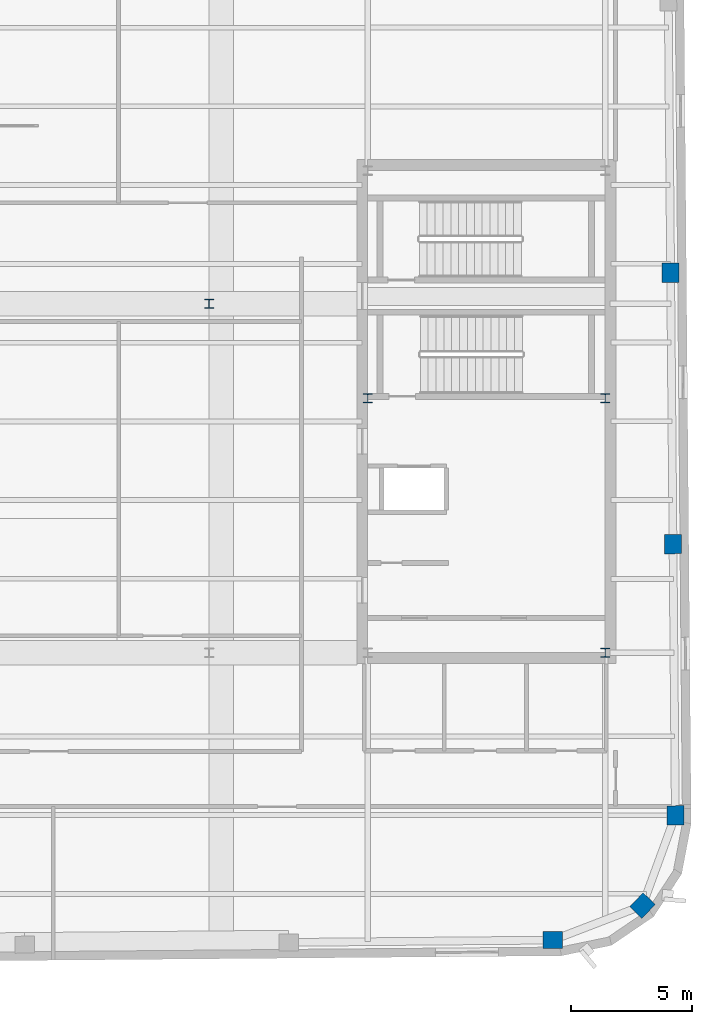
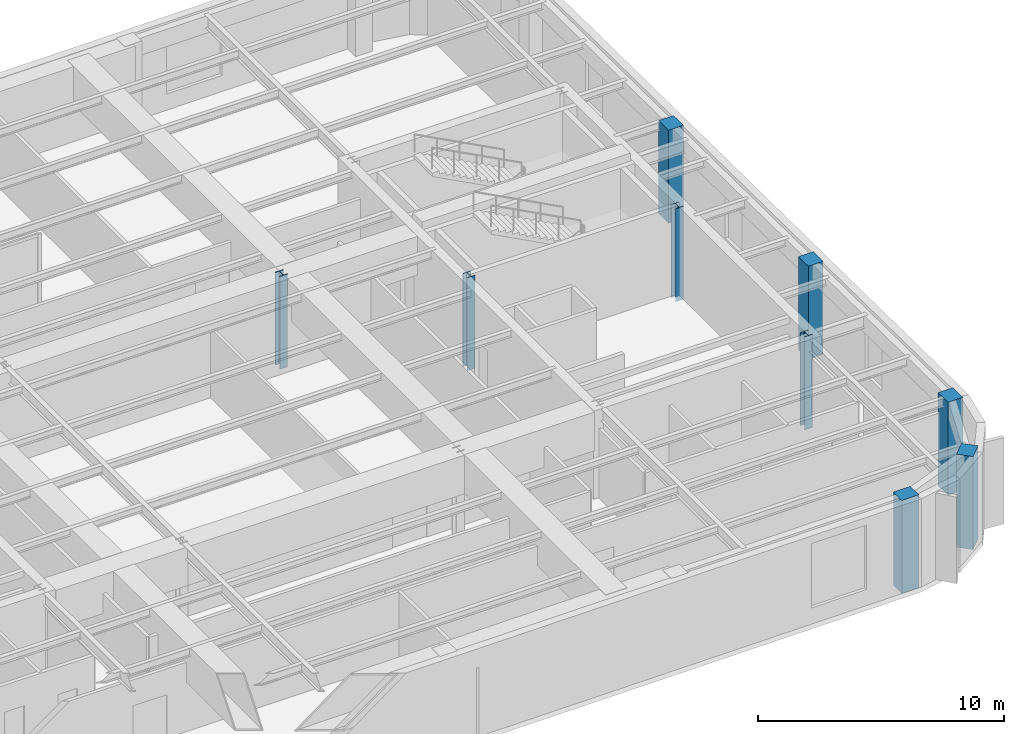
# One storey, part 2 of 14: 9 columns.
"""IFC4 building model written with IfcOpenShell, lengths in metres."""

from ifc_helpers import new_model, si_unit, direction, frame, origin, origin_2d, place, context, subcontext, project, spatial, rectangle, i_section, extrude, material, material_profile, profile_set, type_object, element, save


model = new_model("IFC4")

# Units and contexts
model_context = context("Model", 3, precision=1e-05, world=origin(), true_north=direction((0.0, 1.0)))
body_context = subcontext(model_context, "Body", "Model", "MODEL_VIEW")
ifc_project = project(units=[si_unit("LENGTHUNIT", "METRE"), si_unit("AREAUNIT", "SQUARE_METRE"), si_unit("VOLUMEUNIT", "CUBIC_METRE"), si_unit("PLANEANGLEUNIT", "RADIAN"), si_unit("MASSUNIT", "GRAM", prefix="KILO")], contexts=[model_context])

# Site, building, storey
site_placement = place(None, origin())
site = spatial("IfcSite", under=ifc_project, at=site_placement, CompositionType="ELEMENT")
building_placement = place(site_placement, origin())
building = spatial("IfcBuilding", under=site, at=building_placement, Name="Kolvaren Arena Tower", CompositionType="ELEMENT")
storey_placement = place(building_placement, frame((0.0, 0.0, 317.199951171875)))
storey = spatial("IfcBuildingStorey", under=building, at=storey_placement, Name="L78", CompositionType="ELEMENT", Elevation=317.199951171875)

# Columns
ifc_material_1 = material(Name="Precast concrete C50/60", Category="concrete")
ifc_material_profile_1 = material_profile(ifc_material_1, rectangle(XDim=0.800048828125, YDim=0.699951171875, at=origin_2d()), Name="RC-800x700")
ifc_profile_set_1 = profile_set([ifc_material_profile_1], Name="Precast concrete C50/60")
column_type_1 = type_object("IfcColumnType", Name="EXCOL-Z5", PredefinedType="COLUMN", material=ifc_profile_set_1)
for number, where, z_axis, x_axis, name in (
    (1, (58.190185546875, 7.591064453125, -0.239990234375), (0.0, 0.0, 1.0), (0.999961923064, 0.008726535498, 0.0), "Exoskeleton Perimeter Column 05 (L78)"),
    (2, (61.88671875, 9.0146484375, -0.239990234375), (0.0, 0.0, 1.0), (0.7009092643, 0.713250449154, 0.0), "Exoskeleton Perimeter Column 06 (L78)"),
    (3, (63.24560546875, 12.7353515625, -0.239990234375), (0.0, 0.0, 1.0), (-0.008726535498, 0.999961923064, 0.0), "Exoskeleton Perimeter Column 07 (L78)"),
    (4, (63.147705078125, 23.93505859375, -0.239990234375), (0.0, 0.0, 1.0), (-0.008726535498, 0.999961923064, 0.0), "Exoskeleton Perimeter Column 08 (L78)"),
    (5, (63.050048828125, 35.134521484375, -0.239990234375), (0.0, 0.0, 1.0), (-0.008726535498, 0.999961923064, 0.0), "Exoskeleton Perimeter Column 09 (L78)"),
):
    element("IfcColumn", number, at=place(storey_placement, frame(where, z_axis=z_axis, x_axis=x_axis)), inside=storey, type_object=column_type_1, Name=name, PredefinedType="COLUMN", context=body_context, shape_type="SweptSolid", body=[
        extrude(rectangle(XDim=0.800048828125, YDim=0.699951171875, at=origin_2d()), origin(), (0.0, 0.0, 1.0), 4.6201171875),
    ])
ifc_material_2 = material(Name="Steel ASTM A913 Grade 65", Category="steel")
ifc_material_profile_2 = material_profile(ifc_material_2, i_section(OverallWidth=0.3740234375, OverallDepth=0.3720703125, WebThickness=0.016357421875, FlangeThickness=0.026123046875, FilletRadius=0.02001953125, at=origin_2d()), Name="W360x196")
ifc_profile_set_2 = profile_set([ifc_material_profile_2], Name="Steel ASTM A913 Grade 65")
column_type_2 = type_object("IfcColumnType", Name="SCOL-Z5", PredefinedType="COLUMN", material=ifc_profile_set_2)
for number, where, z_axis, x_axis, name in (
    (6, (60.35009765625, 19.449951171875, -0.239990234375), (0.0, 0.0, 1.0), (1.0, 0.0, 0.0), "Core Boundary Column EC-SE (L78)"),
    (7, (50.550048828125, 29.949951171875, -0.239990234375), (0.0, 0.0, 1.0), (1.0, 0.0, 0.0), "Core Boundary Column EC-MW (L78)"),
    (8, (60.35009765625, 29.949951171875, -0.239990234375), (0.0, 0.0, 1.0), (1.0, 0.0, 0.0), "Core Boundary Column EC-ME (L78)"),
    (9, (44.0, 33.85009765625, -0.239990234375), (0.0, 0.0, 1.0), (1.0, 0.0, 0.0), "Interior Gravity Column TC-NE (L78)"),
):
    element("IfcColumn", number, at=place(storey_placement, frame(where, z_axis=z_axis, x_axis=x_axis)), inside=storey, type_object=column_type_2, Name=name, PredefinedType="COLUMN", context=body_context, shape_type="SweptSolid", body=[
        extrude(i_section(OverallWidth=0.3740234375, OverallDepth=0.3720703125, WebThickness=0.016357421875, FlangeThickness=0.026123046875, FilletRadius=0.02001953125, at=origin_2d()), origin(), (0.0, 0.0, 1.0), 4.6201171875),
    ])

save(model, "model.ifc")
